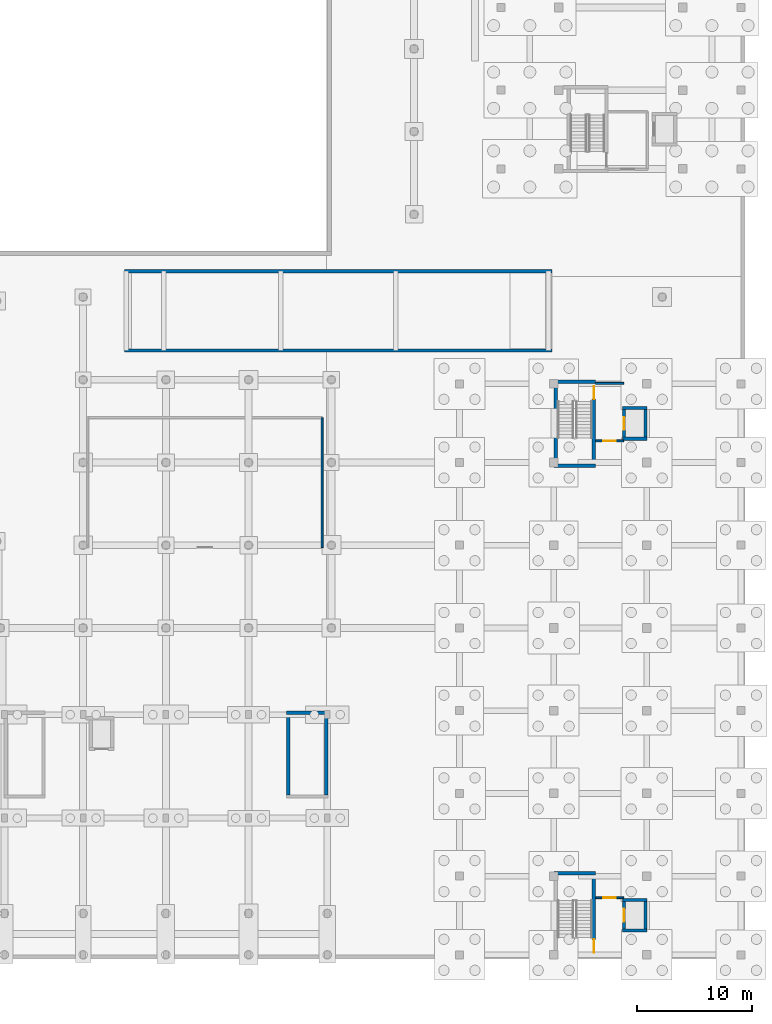
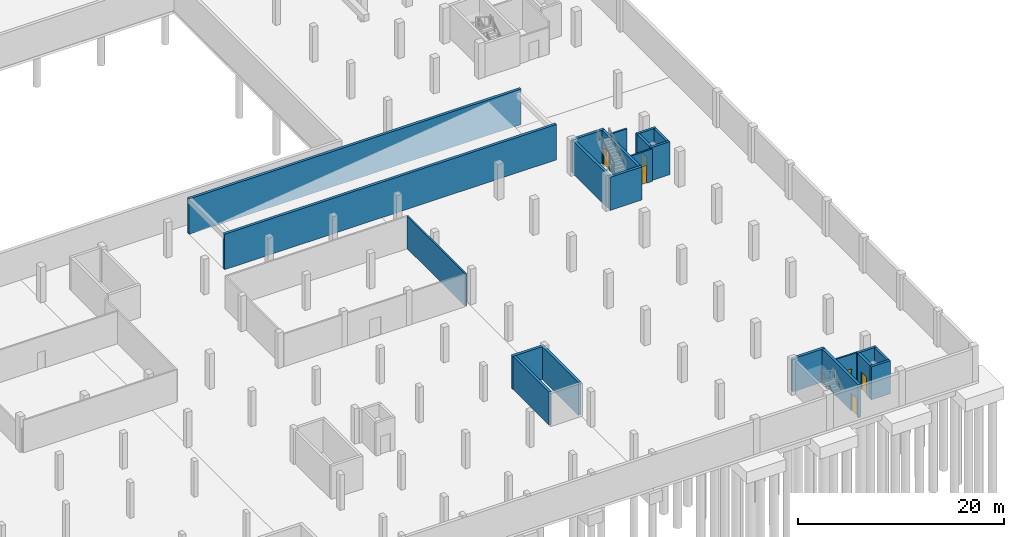
# One storey, part 26 of 36: 23 walls, 6 doors, 6 openings.
"""IFC4 building model written with IfcOpenShell, lengths in metres."""

from ifc_helpers import new_model, si_unit, derived_unit, direction, frame, frame_2d, origin, place, context, subcontext, project, spatial, rectangle, extrude, material, layer, layer_set, type_object, element, fill, save


model = new_model("IFC4")

# Units and contexts
model_context = context("Model", 3, precision=1e-05, world=origin(), true_north=direction((0.0, 1.0)))
body_context = subcontext(model_context, "Body", "Model", "MODEL_VIEW")
ifc_project = project(units=[si_unit("LENGTHUNIT", "METRE"), si_unit("AREAUNIT", "SQUARE_METRE"), si_unit("VOLUMEUNIT", "CUBIC_METRE"), si_unit("PLANEANGLEUNIT", "RADIAN"), si_unit("MASSUNIT", "GRAM", prefix="KILO"), derived_unit("THERMALTRANSMITTANCEUNIT", [(si_unit("MASSUNIT", "GRAM", prefix="KILO"), 1), (si_unit("TIMEUNIT", "SECOND"), -3), (si_unit("THERMODYNAMICTEMPERATUREUNIT", "KELVIN"), -1)])], contexts=[model_context])

# Site, building, storey
site_placement = place(None, origin())
site = spatial("IfcSite", under=ifc_project, at=site_placement, CompositionType="ELEMENT")
building_placement = place(site_placement, origin())
building = spatial("IfcBuilding", under=site, at=building_placement, Name="Ochrekiln Boulevard Commons", CompositionType="ELEMENT")
storey_placement = place(building_placement, frame((0.0, 0.0, -4.199951171875)))
storey = spatial("IfcBuildingStorey", under=building, at=storey_placement, Name="B1", CompositionType="ELEMENT", Elevation=-4.199951171875)

# Walls
ifc_material_1 = material(Name="Concrete C35/45", Category="concrete")
ifc_layer_1 = layer(ifc_material_1, 0.35009765625)
ifc_layer_set_1 = layer_set([ifc_layer_1], Name="Concrete C35/45")
wall_type_1 = type_object("IfcWallType", Name="WL-B1-RET-350", PredefinedType="SOLIDWALL", material=ifc_layer_set_1)
for number, where, z_axis, x_axis, name in (
    (1, (118.800048828125, 52.949951171875, 0.0), (0.0, 0.0, 1.0), (1.0, 0.0, 0.0), "B1 Vehicle Ramp Enclosure Wall S"),
    (2, (118.800048828125, 59.85009765625, 0.0), (0.0, 0.0, 1.0), (1.0, 0.0, 0.0), "B1 Vehicle Ramp Enclosure Wall N"),
):
    element("IfcWall", number, at=place(storey_placement, frame(where, z_axis=z_axis, x_axis=x_axis)), inside=storey, type_object=wall_type_1, Name=name, PredefinedType="SOLIDWALL", context=body_context, shape_type="SweptSolid", body=[
        extrude(rectangle(XDim=37.199951171875, YDim=0.300048828125, at=frame_2d((18.60009765625, 0.0))), origin(), (0.0, 0.0, 1.0), 4.199951171875),
    ])

# Wall, opening, door
ifc_material_2 = material(Name="Fire-rated Type X gypsum board on steel studs", Category="steel")
ifc_layer_2 = layer(ifc_material_2, 0.169921875)
ifc_layer_set_2 = layer_set([ifc_layer_2], Name="Fire-rated Type X gypsum board on steel studs")
wall_type_2 = type_object("IfcWallType", Name="WL-PT-CIV-170", PredefinedType="PARTITIONING", material=ifc_layer_set_2)
wall_1_placement = place(storey_placement, frame((159.800048828125, 5.320068359375, 0.0), z_axis=(0.0, 0.0, 1.0), x_axis=(1.0, 0.0, 0.0)))
wall_1 = element("IfcWall", 3, at=wall_1_placement, inside=storey, type_object=wall_type_2, Name="B1 Interior Wall W-PV170", PredefinedType="PARTITIONING", context=body_context, shape_type="SweptSolid", body=[
    extrude(rectangle(XDim=2.449951171875, YDim=0.169921875, at=frame_2d((1.22509765625, 0.0))), origin(), (0.0, 0.0, 1.0), 3.83984375),
])
opening_1_placement = place(wall_1_placement, frame((0.675048828125, 0.0, 0.0)))
opening_1 = element("IfcOpeningElement", 4, at=opening_1_placement, cuts=wall_1, Name="Opening D-B1-1386", PredefinedType="OPENING", context=body_context, shape_type="SweptSolid", body=[
    extrude(rectangle(XDim=1.10009765625, YDim=2.1201171875, at=frame_2d((0.550048828125, 1.06005859375))), frame((0.0, 0.094970703125, 0.0), z_axis=(0.0, -1.0, 0.0), x_axis=(1.0, 0.0, 0.0)), (0.0, 0.0, 1.0), 0.18994140625),
])
ifc_material_3 = material(Name="Hollow metal fire-rated steel door assembly", Category="steel")
door_type_1 = type_object("IfcDoorType", Name="DR-LOBBY-60", OperationType="NOTDEFINED", PredefinedType="DOOR", material=ifc_material_3)
door_1_placement = place(opening_1_placement, frame((1.10009765625, 0.0, 0.0), z_axis=(0.0, 0.0, 1.0), x_axis=(-1.0, 0.0, 0.0)))
door_1 = element("IfcDoor", 5, at=door_1_placement, inside=storey, type_object=door_type_1, Name="B1 Interior Door to Basement Elevator Lobby", OperationType="SINGLE_SWING_RIGHT", OverallHeight=2.1201171875, OverallWidth=1.10009765625, PredefinedType="DOOR", context=body_context, shape_type="SweptSolid", body=[
    extrude(rectangle(XDim=1.10009765625, YDim=2.1201171875, at=frame_2d((0.550048828125, 1.06005859375))), frame((0.0, 0.02490234375, 0.0), z_axis=(0.0, -1.0, 0.0), x_axis=(1.0, 0.0, 0.0)), (0.0, 0.0, 1.0), 0.050048828125),
])
fill(opening_1, door_1)

wall_2_placement = place(storey_placement, frame((159.800048828125, 45.080078125, 0.0), z_axis=(0.0, 0.0, 1.0), x_axis=(1.0, 0.0, 0.0)))
wall_2 = element("IfcWall", 6, at=wall_2_placement, inside=storey, type_object=wall_type_2, Name="B1 Interior Wall W-PV170", PredefinedType="PARTITIONING", context=body_context, shape_type="SweptSolid", body=[
    extrude(rectangle(XDim=2.449951171875, YDim=0.169921875, at=frame_2d((1.22509765625, 0.0))), origin(), (0.0, 0.0, 1.0), 3.83984375),
])
opening_2_placement = place(wall_2_placement, frame((0.675048828125, 0.0, 0.0)))
opening_2 = element("IfcOpeningElement", 7, at=opening_2_placement, cuts=wall_2, Name="Opening D-B1-1387", PredefinedType="OPENING", context=body_context, shape_type="SweptSolid", body=[
    extrude(rectangle(XDim=1.10009765625, YDim=2.1201171875, at=frame_2d((0.550048828125, 1.06005859375))), frame((0.0, 0.094970703125, 0.0), z_axis=(0.0, -1.0, 0.0), x_axis=(1.0, 0.0, 0.0)), (0.0, 0.0, 1.0), 0.18994140625),
])
door_2_placement = place(opening_2_placement, origin())
door_2 = element("IfcDoor", 8, at=door_2_placement, inside=storey, type_object=door_type_1, Name="B1 Interior Door to Basement Elevator Lobby", OperationType="SINGLE_SWING_LEFT", OverallHeight=2.1201171875, OverallWidth=1.10009765625, PredefinedType="DOOR", context=body_context, shape_type="SweptSolid", body=[
    extrude(rectangle(XDim=1.10009765625, YDim=2.1201171875, at=frame_2d((0.550048828125, 1.06005859375))), frame((0.0, 0.02490234375, 0.0), z_axis=(0.0, -1.0, 0.0), x_axis=(1.0, 0.0, 0.0)), (0.0, 0.0, 1.0), 0.050048828125),
])
fill(opening_2, door_2)

# Walls
wall_3_placement = place(storey_placement, frame((159.800048828125, 50.080078125, 0.0), z_axis=(0.0, 0.0, 1.0), x_axis=(1.0, 0.0, 0.0)))
element("IfcWall", 9, at=wall_3_placement, inside=storey, type_object=wall_type_2, Name="B1 Interior Wall W-PV170", PredefinedType="PARTITIONING", context=body_context, shape_type="SweptSolid", body=[
    extrude(rectangle(XDim=2.449951171875, YDim=0.169921875, at=frame_2d((1.22509765625, 0.0))), origin(), (0.0, 0.0, 1.0), 3.18994140625),
])
wall_4_placement = place(storey_placement, frame((136.0, 35.800048828125, 0.0), z_axis=(0.0, 0.0, 1.0), x_axis=(0.0, 1.0, 0.0)))
element("IfcWall", 10, at=wall_4_placement, inside=storey, type_object=wall_type_2, Name="B1 Interior Wall W-PV170", PredefinedType="PARTITIONING", context=body_context, shape_type="SweptSolid", body=[
    extrude(rectangle(XDim=11.300048828125, YDim=0.169921875, at=frame_2d((5.64990234375, 0.0))), origin(), (0.0, 0.0, 1.0), 3.83984375),
])
ifc_material_4 = material(Name="Concrete C40/50", Category="concrete")
ifc_layer_3 = layer(ifc_material_4, 0.27490234375)
ifc_layer_set_3 = layer_set([ifc_layer_3], Name="Concrete C40/50")
wall_type_3 = type_object("IfcWallType", Name="WL-SH-275", PredefinedType="SHEAR", material=ifc_layer_set_3)
for number, where, z_axis, x_axis, name in (
    (11, (162.125, 2.46240234375, 0.0), (0.0, 0.0, 1.0), (1.0, 0.0, 0.0), "Elevator LP-C1 B1 Hoistway Shear Wall"),
    (12, (162.125, 5.137451171875, 0.0), (0.0, 0.0, 1.0), (1.0, 0.0, 0.0), "Elevator LP-C1 B1 Hoistway Shear Wall"),
):
    element("IfcWall", number, at=place(storey_placement, frame(where, z_axis=z_axis, x_axis=x_axis)), inside=storey, type_object=wall_type_3, Name=name, PredefinedType="SHEAR", context=body_context, shape_type="SweptSolid", body=[
        extrude(rectangle(XDim=2.14990234375, YDim=0.27490234375, at=frame_2d((1.074951171875, 0.0))), origin(), (0.0, 0.0, 1.0), 3.919921875),
    ])

# Wall, opening, door
wall_5_placement = place(storey_placement, frame((162.262451171875, 2.60009765625, 0.0), z_axis=(0.0, 0.0, 1.0), x_axis=(0.0, 1.0, 0.0)))
wall_5 = element("IfcWall", 13, at=wall_5_placement, inside=storey, type_object=wall_type_3, Name="Elevator LP-C1 B1 Hoistway Shear Wall", PredefinedType="SHEAR", context=body_context, shape_type="SweptSolid", body=[
    extrude(rectangle(XDim=2.39990234375, YDim=0.27490234375, at=frame_2d((1.199951171875, 0.0))), origin(), (0.0, 0.0, 1.0), 3.919921875),
])
opening_3_placement = place(wall_5_placement, frame((0.64990234375, 0.0, 0.0)))
opening_3 = element("IfcOpeningElement", 14, at=opening_3_placement, cuts=wall_5, Name="Opening LD-LP-C1-B1", PredefinedType="OPENING", context=body_context, shape_type="SweptSolid", body=[
    extrude(rectangle(XDim=1.10009765625, YDim=2.14990234375, at=frame_2d((0.550048828125, 1.074951171875))), frame((0.0, 0.1474609375, 0.0), z_axis=(0.0, -1.0, 0.0), x_axis=(1.0, 0.0, 0.0)), (0.0, 0.0, 1.0), 0.294921875),
])
ifc_material_5 = material(Name="Brushed stainless steel 316 elevator cab and doors", Category="steel")
door_type_2 = type_object("IfcDoorType", Name="DR-LIFT-LD90", OperationType="SLIDING_TO_LEFT", PredefinedType="DOOR", material=ifc_material_5)
door_3_placement = place(opening_3_placement, origin())
door_3 = element("IfcDoor", 15, at=door_3_placement, inside=storey, type_object=door_type_2, Name="Elevator LP-C1 B1 Sliding Landing Door LD-LP-C1-B1", OperationType="SLIDING_TO_LEFT", OverallHeight=2.14990234375, OverallWidth=1.10009765625, PredefinedType="DOOR", context=body_context, shape_type="SweptSolid", body=[
    extrude(rectangle(XDim=1.10009765625, YDim=2.14990234375, at=frame_2d((0.550048828125, 1.074951171875))), frame((0.0, 0.02490234375, 0.0), z_axis=(0.0, -1.0, 0.0), x_axis=(1.0, 0.0, 0.0)), (0.0, 0.0, 1.0), 0.050048828125),
])
fill(opening_3, door_3)

# Walls
wall_6_placement = place(storey_placement, frame((164.137451171875, 2.60009765625, 0.0), z_axis=(0.0, 0.0, 1.0), x_axis=(0.0, 1.0, 0.0)))
element("IfcWall", 16, at=wall_6_placement, inside=storey, type_object=wall_type_3, Name="Elevator LP-C1 B1 Hoistway Shear Wall", PredefinedType="SHEAR", context=body_context, shape_type="SweptSolid", body=[
    extrude(rectangle(XDim=2.39990234375, YDim=0.27490234375, at=frame_2d((1.199951171875, 0.0))), origin(), (0.0, 0.0, 1.0), 3.919921875),
])
for number, where, z_axis, x_axis, name in (
    (17, (162.125, 45.262451171875, 0.0), (0.0, 0.0, 1.0), (1.0, 0.0, 0.0), "Elevator LP-C2 B1 Hoistway Shear Wall"),
    (18, (162.125, 47.9375, 0.0), (0.0, 0.0, 1.0), (1.0, 0.0, 0.0), "Elevator LP-C2 B1 Hoistway Shear Wall"),
):
    element("IfcWall", number, at=place(storey_placement, frame(where, z_axis=z_axis, x_axis=x_axis)), inside=storey, type_object=wall_type_3, Name=name, PredefinedType="SHEAR", context=body_context, shape_type="SweptSolid", body=[
        extrude(rectangle(XDim=2.14990234375, YDim=0.27490234375, at=frame_2d((1.074951171875, 0.0))), origin(), (0.0, 0.0, 1.0), 3.919921875),
    ])

# Wall, opening, door
wall_7_placement = place(storey_placement, frame((162.262451171875, 45.39990234375, 0.0), z_axis=(0.0, 0.0, 1.0), x_axis=(0.0, 1.0, 0.0)))
wall_7 = element("IfcWall", 19, at=wall_7_placement, inside=storey, type_object=wall_type_3, Name="Elevator LP-C2 B1 Hoistway Shear Wall", PredefinedType="SHEAR", context=body_context, shape_type="SweptSolid", body=[
    extrude(rectangle(XDim=2.400146484375, YDim=0.27490234375, at=frame_2d((1.2001953125, 0.0))), origin(), (0.0, 0.0, 1.0), 3.919921875),
])
opening_4_placement = place(wall_7_placement, frame((0.64990234375, 0.0, 0.0)))
opening_4 = element("IfcOpeningElement", 20, at=opening_4_placement, cuts=wall_7, Name="Opening LD-LP-C2-B1", PredefinedType="OPENING", context=body_context, shape_type="SweptSolid", body=[
    extrude(rectangle(XDim=1.10009765625, YDim=2.14990234375, at=frame_2d((0.550048828125, 1.074951171875))), frame((0.0, 0.1474609375, 0.0), z_axis=(0.0, -1.0, 0.0), x_axis=(1.0, 0.0, 0.0)), (0.0, 0.0, 1.0), 0.294921875),
])
door_4_placement = place(opening_4_placement, origin())
door_4 = element("IfcDoor", 21, at=door_4_placement, inside=storey, type_object=door_type_2, Name="Elevator LP-C2 B1 Sliding Landing Door LD-LP-C2-B1", OperationType="SLIDING_TO_LEFT", OverallHeight=2.14990234375, OverallWidth=1.10009765625, PredefinedType="DOOR", context=body_context, shape_type="SweptSolid", body=[
    extrude(rectangle(XDim=1.10009765625, YDim=2.14990234375, at=frame_2d((0.550048828125, 1.074951171875))), frame((0.0, 0.02490234375, 0.0), z_axis=(0.0, -1.0, 0.0), x_axis=(1.0, 0.0, 0.0)), (0.0, 0.0, 1.0), 0.050048828125),
])
fill(opening_4, door_4)

# Walls
wall_8_placement = place(storey_placement, frame((164.137451171875, 45.39990234375, 0.0), z_axis=(0.0, 0.0, 1.0), x_axis=(0.0, 1.0, 0.0)))
element("IfcWall", 22, at=wall_8_placement, inside=storey, type_object=wall_type_3, Name="Elevator LP-C2 B1 Hoistway Shear Wall", PredefinedType="SHEAR", context=body_context, shape_type="SweptSolid", body=[
    extrude(rectangle(XDim=2.400146484375, YDim=0.27490234375, at=frame_2d((1.2001953125, 0.0))), origin(), (0.0, 0.0, 1.0), 3.919921875),
])
ifc_layer_4 = layer(ifc_material_4, 0.300048828125)
ifc_layer_set_4 = layer_set([ifc_layer_4], Name="Concrete C40/50")
wall_type_4 = type_object("IfcWallType", Name="WL-SH-300", PredefinedType="SHEAR", material=ifc_layer_set_4)
wall_9_placement = place(storey_placement, frame((156.199951171875, 7.469970703125, 0.0), z_axis=(0.0, 0.0, 1.0), x_axis=(1.0, 0.0, 0.0)))
element("IfcWall", 23, at=wall_9_placement, inside=storey, type_object=wall_type_4, Name="Stair ST-C1 B1 Core Shear Wall N", PredefinedType="SHEAR", context=body_context, shape_type="SweptSolid", body=[
    extrude(rectangle(XDim=3.60009765625, YDim=0.300048828125, at=frame_2d((1.800048828125, 0.0))), origin(), (0.0, 0.0, 1.0), 3.919921875),
])

# Wall, opening, door
wall_10_placement = place(storey_placement, frame((159.64990234375, 0.320068359375, 0.0), z_axis=(0.0, 0.0, 1.0), x_axis=(0.0, 1.0, 0.0)))
wall_10 = element("IfcWall", 24, at=wall_10_placement, inside=storey, type_object=wall_type_4, Name="Stair ST-C1 B1 Core Shear Wall E", PredefinedType="SHEAR", context=body_context, shape_type="SweptSolid", body=[
    extrude(rectangle(XDim=7.0, YDim=0.300048828125, at=frame_2d((3.5, 0.0))), origin(), (0.0, 0.0, 1.0), 3.919921875),
])
opening_5_placement = place(wall_10_placement, frame((0.22509765625, 0.0, 0.0)))
opening_5 = element("IfcOpeningElement", 25, at=opening_5_placement, cuts=wall_10, Name="Opening D-B1-ST-C1", PredefinedType="OPENING", context=body_context, shape_type="SweptSolid", body=[
    extrude(rectangle(XDim=1.14990234375, YDim=2.1201171875, at=frame_2d((0.574951171875, 1.06005859375))), frame((0.0, 0.159912109375, 0.0), z_axis=(0.0, -1.0, 0.0), x_axis=(1.0, 0.0, 0.0)), (0.0, 0.0, 1.0), 0.320068359375),
])
door_type_3 = type_object("IfcDoorType", Name="DR-STAIR-90", OperationType="NOTDEFINED", PredefinedType="DOOR", material=ifc_material_3)
door_5_placement = place(opening_5_placement, origin())
door_5 = element("IfcDoor", 26, at=door_5_placement, inside=storey, type_object=door_type_3, Name="Enclosed Exit Stair ST-C1 B1 Rated Door", OperationType="SINGLE_SWING_LEFT", OverallHeight=2.1201171875, OverallWidth=1.14990234375, PredefinedType="DOOR", context=body_context, shape_type="SweptSolid", body=[
    extrude(rectangle(XDim=1.14990234375, YDim=2.1201171875, at=frame_2d((0.574951171875, 1.06005859375))), frame((0.0, 0.02490234375, 0.0), z_axis=(0.0, -1.0, 0.0), x_axis=(1.0, 0.0, 0.0)), (0.0, 0.0, 1.0), 0.050048828125),
])
fill(opening_5, door_5)

# Walls
for number, where, z_axis, x_axis, name in (
    (27, (156.199951171875, 42.929931640625, 0.0), (0.0, 0.0, 1.0), (1.0, 0.0, 0.0), "Stair ST-C2 B1 Core Shear Wall S"),
    (28, (156.199951171875, 50.22998046875, 0.0), (0.0, 0.0, 1.0), (1.0, 0.0, 0.0), "Stair ST-C2 B1 Core Shear Wall N"),
):
    element("IfcWall", number, at=place(storey_placement, frame(where, z_axis=z_axis, x_axis=x_axis)), inside=storey, type_object=wall_type_4, Name=name, PredefinedType="SHEAR", context=body_context, shape_type="SweptSolid", body=[
        extrude(rectangle(XDim=3.60009765625, YDim=0.300048828125, at=frame_2d((1.800048828125, 0.0))), origin(), (0.0, 0.0, 1.0), 3.919921875),
    ])
wall_11_placement = place(storey_placement, frame((156.35009765625, 43.080078125, 0.0), z_axis=(0.0, 0.0, 1.0), x_axis=(0.0, 1.0, 0.0)))
element("IfcWall", 29, at=wall_11_placement, inside=storey, type_object=wall_type_4, Name="Stair ST-C2 B1 Core Shear Wall W", PredefinedType="SHEAR", context=body_context, shape_type="SweptSolid", body=[
    extrude(rectangle(XDim=7.0, YDim=0.300048828125, at=frame_2d((3.5, 0.0))), origin(), (0.0, 0.0, 1.0), 3.919921875),
])

# Wall, opening, door
wall_12_placement = place(storey_placement, frame((159.64990234375, 43.080078125, 0.0), z_axis=(0.0, 0.0, 1.0), x_axis=(0.0, 1.0, 0.0)))
wall_12 = element("IfcWall", 30, at=wall_12_placement, inside=storey, type_object=wall_type_4, Name="Stair ST-C2 B1 Core Shear Wall E", PredefinedType="SHEAR", context=body_context, shape_type="SweptSolid", body=[
    extrude(rectangle(XDim=7.0, YDim=0.300048828125, at=frame_2d((3.5, 0.0))), origin(), (0.0, 0.0, 1.0), 3.919921875),
])
opening_6_placement = place(wall_12_placement, frame((5.625, 0.0, 0.0)))
opening_6 = element("IfcOpeningElement", 31, at=opening_6_placement, cuts=wall_12, Name="Opening D-B1-ST-C2", PredefinedType="OPENING", context=body_context, shape_type="SweptSolid", body=[
    extrude(rectangle(XDim=1.14990234375, YDim=2.1201171875, at=frame_2d((0.574951171875, 1.06005859375))), frame((0.0, 0.159912109375, 0.0), z_axis=(0.0, -1.0, 0.0), x_axis=(1.0, 0.0, 0.0)), (0.0, 0.0, 1.0), 0.320068359375),
])
door_6_placement = place(opening_6_placement, origin())
door_6 = element("IfcDoor", 32, at=door_6_placement, inside=storey, type_object=door_type_3, Name="Enclosed Exit Stair ST-C2 B1 Rated Door", OperationType="SINGLE_SWING_LEFT", OverallHeight=2.1201171875, OverallWidth=1.14990234375, PredefinedType="DOOR", context=body_context, shape_type="SweptSolid", body=[
    extrude(rectangle(XDim=1.14990234375, YDim=2.1201171875, at=frame_2d((0.574951171875, 1.06005859375))), frame((0.0, 0.02490234375, 0.0), z_axis=(0.0, -1.0, 0.0), x_axis=(1.0, 0.0, 0.0)), (0.0, 0.0, 1.0), 0.050048828125),
])
fill(opening_6, door_6)

# Walls
wall_13_placement = place(storey_placement, frame((132.89990234375, 21.429931640625, 0.0), z_axis=(0.0, 0.0, 1.0), x_axis=(1.0, 0.0, 0.0)))
element("IfcWall", 33, at=wall_13_placement, inside=storey, type_object=wall_type_4, Name="Stair ST-E2 B1 Core Shear Wall N", PredefinedType="SHEAR", context=body_context, shape_type="SweptSolid", body=[
    extrude(rectangle(XDim=3.60009765625, YDim=0.300048828125, at=frame_2d((1.800048828125, 0.0))), origin(), (0.0, 0.0, 1.0), 3.909912109375),
])
for number, where, z_axis, x_axis, name in (
    (34, (133.050048828125, 14.280029296875, 0.0), (0.0, 0.0, 1.0), (0.0, 1.0, 0.0), "Stair ST-E2 B1 Core Shear Wall W"),
    (35, (136.35009765625, 14.280029296875, 0.0), (0.0, 0.0, 1.0), (0.0, 1.0, 0.0), "Stair ST-E2 B1 Core Shear Wall E"),
):
    element("IfcWall", number, at=place(storey_placement, frame(where, z_axis=z_axis, x_axis=x_axis)), inside=storey, type_object=wall_type_4, Name=name, PredefinedType="SHEAR", context=body_context, shape_type="SweptSolid", body=[
        extrude(rectangle(XDim=7.0, YDim=0.300048828125, at=frame_2d((3.5, 0.0))), origin(), (0.0, 0.0, 1.0), 3.909912109375),
    ])

save(model, "model.ifc")
